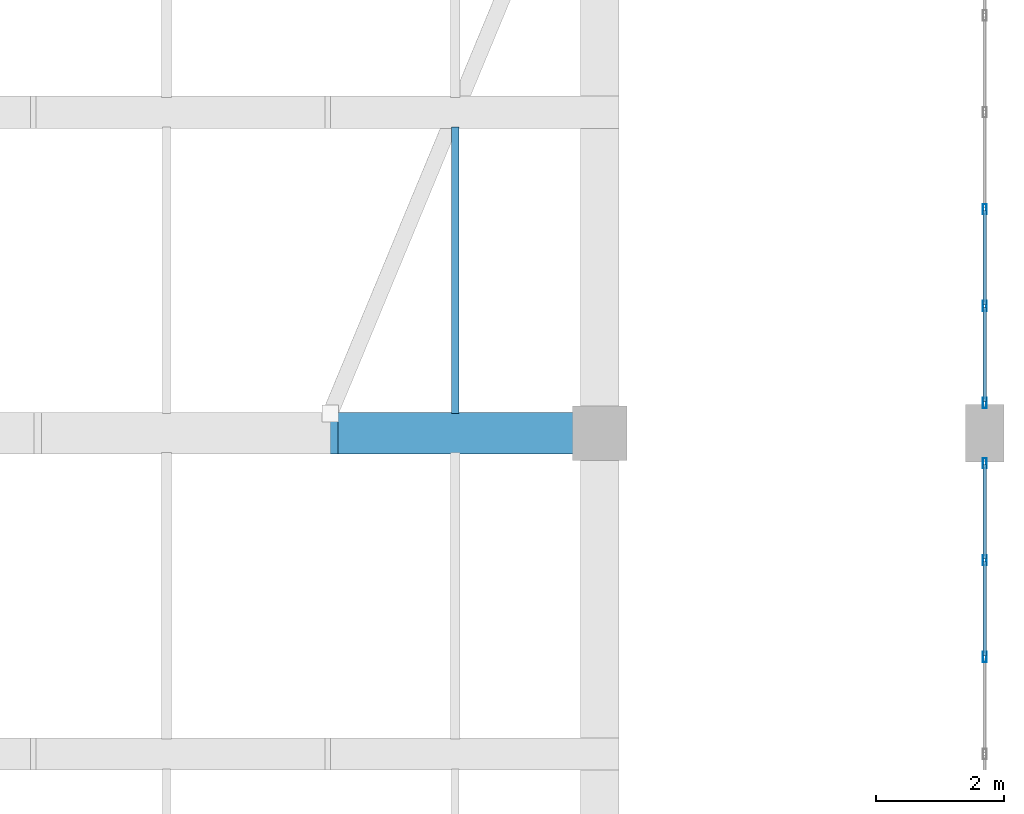
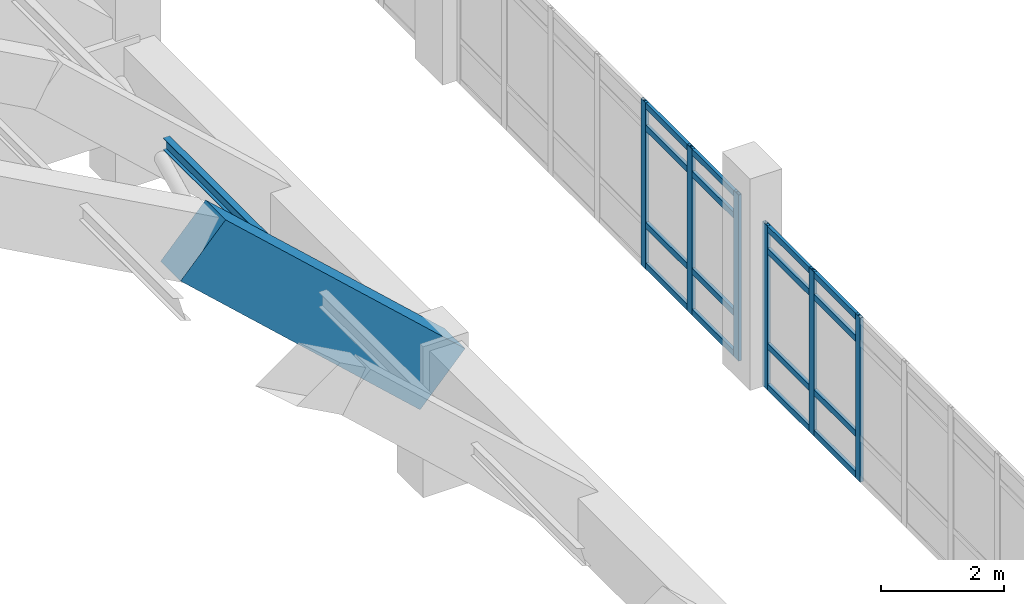
# One storey, part 82 of 111: 23 members, 1 beam, 2 elements without a shape of their own.
"""IFC4 building model written with IfcOpenShell, lengths in metres."""

import ifcopenshell
import ifcopenshell.guid

model = None  # the IFC model being written
_history = None  # IfcOwnerHistory: only IFC2X3 demands one
_inside = {}  # id of a spatial element -> (the spatial element, [elements in it])
_under = {}  # id of a project, library or spatial element -> (it, [spatial elements below it])
_declared = {}  # id of a project -> (the project, [libraries it declares])
_typed = {}  # id of a type object -> (the type object, [elements of that type])
_made_of = {}  # id of a material, layer set ... -> (it, [elements and type objects made of it])


def new_model(schema):
    """Start an empty IFC model of exactly this schema.

    Asked for "IFC4X3", IfcOpenShell would pick the latest addendum, in which some entities
    have other attributes; the version numbers below select the first issue.
    IFC2X3 requires an IfcOwnerHistory on every rooted entity: one is made here for all.
    """
    global model, _history
    if schema == "IFC4X3":
        model = ifcopenshell.file(schema_version=(4, 3, 0, 0))
    else:
        model = ifcopenshell.file(schema=schema)
    _inside.clear()
    _under.clear()
    _declared.clear()
    _typed.clear()
    _made_of.clear()
    _history = None
    if model.schema == "IFC2X3":
        org = make("IfcOrganization", Name="unknown")
        user = make(
            "IfcPersonAndOrganization",
            ThePerson=make("IfcPerson", FamilyName="unknown"),
            TheOrganization=org,
        )
        app = make(
            "IfcApplication",
            ApplicationDeveloper=org,
            Version="unknown",
            ApplicationFullName="unknown",
            ApplicationIdentifier="unknown",
        )
        _history = make(
            "IfcOwnerHistory",
            OwningUser=user,
            OwningApplication=app,
            ChangeAction="ADDED",
            CreationDate=0,
        )
    return model


def make(cls, **values):
    """One entity of the class cls with the attributes given. An attribute that is None is left unset."""
    return model.create_entity(
        cls, **{name: value for name, value in values.items() if value is not None}
    )


def rooted(cls, **values):
    """An entity with a GlobalId (a new one), such as an element, a storey or a relation."""
    return make(cls, GlobalId=ifcopenshell.guid.new(), OwnerHistory=_history, **values)


def si_unit(unit_type, name, prefix=None):
    """IfcSIUnit, for example si_unit("LENGTHUNIT", "METRE", prefix="MILLI")."""
    return make("IfcSIUnit", UnitType=unit_type, Prefix=prefix, Name=name)


def assignment(units):
    """IfcUnitAssignment: the units of a project."""
    return None if units is None else make("IfcUnitAssignment", Units=units)


def point(xyz):
    """IfcCartesianPoint."""
    return None if xyz is None else make("IfcCartesianPoint", Coordinates=xyz)


def direction(xyz):
    """IfcDirection."""
    return None if xyz is None else make("IfcDirection", DirectionRatios=xyz)


def frame(location, z_axis=None, x_axis=None):
    """IfcAxis2Placement3D, a coordinate frame: its origin and axes. An axis left out is left unset."""
    return make(
        "IfcAxis2Placement3D",
        Location=point(location),
        Axis=direction(z_axis),
        RefDirection=direction(x_axis),
    )


def frame_2d(location, x_axis=None):
    """IfcAxis2Placement2D, a coordinate frame in the plane: its origin and x axis."""
    return make(
        "IfcAxis2Placement2D", Location=point(location), RefDirection=direction(x_axis)
    )


def origin():
    """The frame at (0, 0, 0) with its axes left unset."""
    return frame((0.0, 0.0, 0.0))


def origin_2d():
    """The frame at (0, 0) in the plane with its x axis left unset."""
    return frame_2d((0.0, 0.0))


def place(relative_to, where):
    """IfcLocalPlacement: puts the frame where relative to a parent placement (None: the world)."""
    return make(
        "IfcLocalPlacement", PlacementRelTo=relative_to, RelativePlacement=where
    )


def context(
    kind, dimensions, precision=None, world=None, true_north=None, identifier=None
):
    """IfcGeometricRepresentationContext, for example the 3D "Model" context."""
    return make(
        "IfcGeometricRepresentationContext",
        ContextIdentifier=identifier,
        ContextType=kind,
        CoordinateSpaceDimension=dimensions,
        Precision=precision,
        WorldCoordinateSystem=world,
        TrueNorth=true_north,
    )


def subcontext(parent, identifier, kind, view, scale=None):
    """IfcGeometricRepresentationSubContext, for example "Body" below "Model"."""
    return make(
        "IfcGeometricRepresentationSubContext",
        ContextIdentifier=identifier,
        ContextType=kind,
        ParentContext=parent,
        TargetScale=scale,
        TargetView=view,
    )


def project(units=None, contexts=None):
    """IfcProject with its units and contexts."""
    return rooted(
        "IfcProject",
        Name="project",
        RepresentationContexts=contexts,
        UnitsInContext=assignment(units),
    )


def spatial(cls, under=None, at=None, **own):
    """A site, building, storey or space (cls), placed at a placement, below another one or the project."""
    s = rooted(cls, ObjectPlacement=at, **own)
    if under is not None:
        _under.setdefault(under.id(), (under, []))[1].append(s)
    return s


def profile(cls, at=None, kind="AREA", **sizes):
    """A parametric profile (cls). Its sizes go by their IFC names, for example OverallWidth=200.0."""
    return make(cls, ProfileType=kind, Position=at, **sizes)


def rectangle(**sizes):
    """IfcRectangleProfileDef."""
    return profile("IfcRectangleProfileDef", **sizes)


def hollow_rectangle(**sizes):
    """IfcRectangleHollowProfileDef."""
    return profile("IfcRectangleHollowProfileDef", **sizes)


def i_section(**sizes):
    """IfcIShapeProfileDef."""
    return profile("IfcIShapeProfileDef", **sizes)


def extrude(swept, where, along, depth):
    """IfcExtrudedAreaSolid: the profile swept, set in the frame where, extruded along a direction by depth."""
    return make(
        "IfcExtrudedAreaSolid",
        SweptArea=swept,
        Position=where,
        ExtrudedDirection=direction(along),
        Depth=depth,
    )


def shape(context_of_items, identifier, shape_type, items):
    """IfcShapeRepresentation: the items that make up one representation, for example the "Body"."""
    return make(
        "IfcShapeRepresentation",
        ContextOfItems=context_of_items,
        RepresentationIdentifier=identifier,
        RepresentationType=shape_type,
        Items=items,
    )


def material(Name=None, Category=None):
    """IfcMaterial."""
    return make("IfcMaterial", Name=Name, Category=Category)


def layer(
    of_material, thickness, ventilated=None, Name=None, Category=None, Priority=None
):
    """IfcMaterialLayer: one layer of a wall or slab, of a material (None: an air gap)."""
    return make(
        "IfcMaterialLayer",
        Material=of_material,
        LayerThickness=thickness,
        IsVentilated=ventilated,
        Name=Name,
        Category=Category,
        Priority=Priority,
    )


def layer_set(layers, Name=None):
    """IfcMaterialLayerSet."""
    return make("IfcMaterialLayerSet", MaterialLayers=layers, LayerSetName=Name)


def material_profile(
    of_material, cross_section, Name=None, Category=None, Priority=None
):
    """IfcMaterialProfile: a cross section and its material."""
    return make(
        "IfcMaterialProfile",
        Name=Name,
        Material=of_material,
        Profile=cross_section,
        Priority=Priority,
        Category=Category,
    )


def profile_set(profiles, Name=None, composite=None):
    """IfcMaterialProfileSet."""
    return make(
        "IfcMaterialProfileSet",
        Name=Name,
        MaterialProfiles=profiles,
        CompositeProfile=composite,
    )


def made_of(thing, what):
    """Note that an element or type object is made of a material, layer set ...; save() writes the relation."""
    if what is not None:
        _made_of.setdefault(what.id(), (what, []))[1].append(thing)
    return thing


def type_object(cls, material=None, **own):
    """A type object (cls), such as IfcWallType, which elements share."""
    return made_of(rooted(cls, **own), material)


def element(
    cls,
    number,
    at=None,
    inside=None,
    cuts=None,
    type_object=None,
    material=None,
    context=None,
    identifier="Body",
    shape_type=None,
    held_by="IfcProductDefinitionShape",
    body=None,
    shapes=None,
    **own,
):
    """One element of the class cls, such as IfcWall. Its Tag is "e" and its number.

    at: its placement. inside: the storey or other place that contains it. cuts: it is an
    opening in that element (IfcRelVoidsElement). A single representation is given by context,
    identifier, shape_type and body (its items); several are given by shapes. held_by: the class
    of the entity that holds the representations. save() writes the other relations.
    """
    e = rooted(cls, Tag="e%d" % number, ObjectPlacement=at, **own)
    if body is not None:
        shapes = [shape(context, identifier, shape_type, body)]
    if shapes is not None:
        e.Representation = make(held_by, Representations=shapes)
    if inside is not None:
        _inside.setdefault(inside.id(), (inside, []))[1].append(e)
    if cuts is not None:
        rooted(
            "IfcRelVoidsElement", RelatingBuildingElement=cuts, RelatedOpeningElement=e
        )
    if type_object is not None:
        _typed.setdefault(type_object.id(), (type_object, []))[1].append(e)
    return made_of(e, material)


def aggregate(whole, parts):
    """IfcRelAggregates: a whole, such as a stair, and the parts it consists of."""
    return rooted("IfcRelAggregates", RelatingObject=whole, RelatedObjects=parts)


def save(model, path):
    """Write the relations noted so far, then the file.

    IfcRelAggregates (storeys below a building ...), IfcRelContainedInSpatialStructure (elements
    in a storey), IfcRelDefinesByType, IfcRelAssociatesMaterial and IfcRelDeclares: one each for
    every whole, place, type object, material and project.
    """
    for whole, parts in _under.values():
        aggregate(whole, parts)
    for where, things in _inside.values():
        rooted(
            "IfcRelContainedInSpatialStructure",
            RelatedElements=things,
            RelatingStructure=where,
        )
    for kind, things in _typed.values():
        rooted("IfcRelDefinesByType", RelatedObjects=things, RelatingType=kind)
    for what, things in _made_of.values():
        rooted("IfcRelAssociatesMaterial", RelatedObjects=things, RelatingMaterial=what)
    for by, libraries in _declared.values():
        rooted("IfcRelDeclares", RelatingContext=by, RelatedDefinitions=libraries)
    model.write(path)


model = new_model("IFC4")

# Units and contexts
model_context = context("Model", 3, precision=1e-05, world=origin(), true_north=direction((0.0, 1.0)))
body_context = subcontext(model_context, "Body", "Model", "MODEL_VIEW")
ifc_project = project(units=[si_unit("LENGTHUNIT", "METRE"), si_unit("AREAUNIT", "SQUARE_METRE"), si_unit("VOLUMEUNIT", "CUBIC_METRE"), si_unit("PLANEANGLEUNIT", "RADIAN"), si_unit("MASSUNIT", "GRAM", prefix="KILO")], contexts=[model_context])

# Site, building, storey
site_placement = place(None, origin())
site = spatial("IfcSite", under=ifc_project, at=site_placement, CompositionType="ELEMENT")
building_placement = place(site_placement, origin())
building = spatial("IfcBuilding", under=site, at=building_placement, Name="Mersad Railyard Sports Hall", CompositionType="ELEMENT")
storey_placement = place(building_placement, frame((0.0, 0.0, 9.0)))
storey = spatial("IfcBuildingStorey", under=building, at=storey_placement, Name="L02", CompositionType="ELEMENT", Elevation=9.0)

# Curtain wall, members
ifc_material_1 = material(Name="Aluminium 6063-T6", Category="aluminium")
ifc_layer_1 = layer(ifc_material_1, 0.159912109375)
ifc_layer_set_1 = layer_set([ifc_layer_1], Name="Aluminium 6063-T6")
curtain_wall_type_1 = type_object("IfcCurtainWallType", Name="ARC-CW-CW16", PredefinedType="USERDEFINED", material=ifc_layer_set_1)
curtain_wall_1_placement = place(storey_placement, origin())
curtain_wall_1 = element("IfcCurtainWall", 1, at=curtain_wall_1_placement, inside=storey, type_object=curtain_wall_type_1, Name="Curtain wall CW16-0055", ObjectType="CURTAIN WALL", PredefinedType="USERDEFINED")
ifc_material_profile_1 = material_profile(ifc_material_1, hollow_rectangle(XDim=0.06005859375, YDim=0.159912109375, WallThickness=0.00390625, at=origin_2d()), Name="AL MULLION 60x160x4")
ifc_profile_set_1 = profile_set([ifc_material_profile_1], Name="Aluminium 6063-T6")
member_type_1 = type_object("IfcMemberType", Name="ARC-CW-MUL01", PredefinedType="MULLION", material=ifc_profile_set_1)
member_1_placement = place(storey_placement, frame((179.0, 63.030029296875, -0.02001953125), z_axis=(0.0, 0.0, 1.0), x_axis=(1.0, 0.0, 0.0)))
member_1 = element("IfcMember", 2, at=member_1_placement, type_object=member_type_1, Name="CW16 Mullion 1", PredefinedType="MULLION", context=body_context, shape_type="SweptSolid", body=[
    extrude(hollow_rectangle(XDim=0.06005859375, YDim=0.159912109375, WallThickness=0.00390625, at=origin_2d()), origin(), (0.0, 0.0, 1.0), 3.260009765625),
])
member_2_placement = place(storey_placement, frame((179.0, 61.52001953125, -0.02001953125), z_axis=(0.0, 0.0, 1.0), x_axis=(1.0, 0.0, 0.0)))
member_2 = element("IfcMember", 3, at=member_2_placement, type_object=member_type_1, Name="CW16 Mullion 2", PredefinedType="MULLION", context=body_context, shape_type="SweptSolid", body=[
    extrude(hollow_rectangle(XDim=0.06005859375, YDim=0.159912109375, WallThickness=0.00390625, at=origin_2d()), origin(), (0.0, 0.0, 1.0), 3.260009765625),
])
member_3_placement = place(storey_placement, frame((179.0, 60.010009765625, -0.02001953125), z_axis=(0.0, 0.0, 1.0), x_axis=(1.0, 0.0, 0.0)))
member_3 = element("IfcMember", 4, at=member_3_placement, type_object=member_type_1, Name="CW16 Mullion 3", PredefinedType="MULLION", context=body_context, shape_type="SweptSolid", body=[
    extrude(hollow_rectangle(XDim=0.06005859375, YDim=0.159912109375, WallThickness=0.00390625, at=origin_2d()), origin(), (0.0, 0.0, 1.0), 3.260009765625),
])

ifc_layer_2 = layer(ifc_material_1, 0.159912109375)
ifc_layer_set_2 = layer_set([ifc_layer_2], Name="Aluminium 6063-T6")
curtain_wall_type_2 = type_object("IfcCurtainWallType", Name="ARC-CW-CW17", PredefinedType="USERDEFINED", material=ifc_layer_set_2)
curtain_wall_2_placement = place(storey_placement, origin())
curtain_wall_2 = element("IfcCurtainWall", 5, at=curtain_wall_2_placement, inside=storey, type_object=curtain_wall_type_2, Name="Curtain wall CW17-0057", ObjectType="CURTAIN WALL", PredefinedType="USERDEFINED")
member_4_placement = place(storey_placement, frame((179.0, 66.989990234375, -0.02001953125), z_axis=(0.0, 0.0, 1.0), x_axis=(1.0, 0.0, 0.0)))
member_4 = element("IfcMember", 6, at=member_4_placement, type_object=member_type_1, Name="CW17 Mullion 5", PredefinedType="MULLION", context=body_context, shape_type="SweptSolid", body=[
    extrude(hollow_rectangle(XDim=0.06005859375, YDim=0.159912109375, WallThickness=0.00390625, at=origin_2d()), origin(), (0.0, 0.0, 1.0), 3.300048828125),
])
member_5_placement = place(storey_placement, frame((179.0, 65.47998046875, -0.02001953125), z_axis=(0.0, 0.0, 1.0), x_axis=(1.0, 0.0, 0.0)))
member_5 = element("IfcMember", 7, at=member_5_placement, type_object=member_type_1, Name="CW17 Mullion 6", PredefinedType="MULLION", context=body_context, shape_type="SweptSolid", body=[
    extrude(hollow_rectangle(XDim=0.06005859375, YDim=0.159912109375, WallThickness=0.00390625, at=origin_2d()), origin(), (0.0, 0.0, 1.0), 3.300048828125),
])
member_6_placement = place(storey_placement, frame((179.0, 63.969970703125, -0.02001953125), z_axis=(0.0, 0.0, 1.0), x_axis=(1.0, 0.0, 0.0)))
member_6 = element("IfcMember", 8, at=member_6_placement, type_object=member_type_1, Name="CW17 Mullion 7", PredefinedType="MULLION", context=body_context, shape_type="SweptSolid", body=[
    extrude(hollow_rectangle(XDim=0.06005859375, YDim=0.159912109375, WallThickness=0.00390625, at=origin_2d()), origin(), (0.0, 0.0, 1.0), 3.300048828125),
])

# Member
ifc_material_profile_2 = material_profile(ifc_material_1, hollow_rectangle(XDim=0.06005859375, YDim=0.1201171875, WallThickness=0.00390625, at=origin_2d()), Name="AL TRANSOM 60x120x4")
ifc_profile_set_2 = profile_set([ifc_material_profile_2], Name="Aluminium 6063-T6")
member_type_2 = type_object("IfcMemberType", Name="ARC-CW-TRN01", PredefinedType="USERDEFINED", material=ifc_profile_set_2)
member_7_placement = place(storey_placement, frame((179.0, 63.010009765625, 0.0400390625), z_axis=(0.0, -1.0, 0.0), x_axis=(1.0, 0.0, 0.0)))
member_7 = element("IfcMember", 9, at=member_7_placement, type_object=member_type_2, Name="CW16 Transom 1-1", ObjectType="TRANSOM", PredefinedType="USERDEFINED", context=body_context, shape_type="SweptSolid", body=[
    extrude(hollow_rectangle(XDim=0.06005859375, YDim=0.1201171875, WallThickness=0.00390625, at=origin_2d()), origin(), (0.0, 0.0, 1.0), 1.469970703125),
])

member_8_placement = place(storey_placement, frame((179.0, 61.5, 0.0400390625), z_axis=(0.0, -1.0, 0.0), x_axis=(1.0, 0.0, 0.0)))
member_8 = element("IfcMember", 10, at=member_8_placement, type_object=member_type_2, Name="CW16 Transom 1-2", ObjectType="TRANSOM", PredefinedType="USERDEFINED", context=body_context, shape_type="SweptSolid", body=[
    extrude(hollow_rectangle(XDim=0.06005859375, YDim=0.1201171875, WallThickness=0.00390625, at=origin_2d()), origin(), (0.0, 0.0, 1.0), 1.469970703125),
])

member_9_placement = place(storey_placement, frame((179.0, 63.010009765625, 0.85009765625), z_axis=(0.0, -1.0, 0.0), x_axis=(1.0, 0.0, 0.0)))
member_9 = element("IfcMember", 11, at=member_9_placement, type_object=member_type_2, Name="CW16 Transom 2-1", ObjectType="TRANSOM", PredefinedType="USERDEFINED", context=body_context, shape_type="SweptSolid", body=[
    extrude(hollow_rectangle(XDim=0.06005859375, YDim=0.1201171875, WallThickness=0.00390625, at=origin_2d()), origin(), (0.0, 0.0, 1.0), 1.469970703125),
])

member_10_placement = place(storey_placement, frame((179.0, 61.5, 0.85009765625), z_axis=(0.0, -1.0, 0.0), x_axis=(1.0, 0.0, 0.0)))
member_10 = element("IfcMember", 12, at=member_10_placement, type_object=member_type_2, Name="CW16 Transom 2-2", ObjectType="TRANSOM", PredefinedType="USERDEFINED", context=body_context, shape_type="SweptSolid", body=[
    extrude(hollow_rectangle(XDim=0.06005859375, YDim=0.1201171875, WallThickness=0.00390625, at=origin_2d()), origin(), (0.0, 0.0, 1.0), 1.469970703125),
])

member_11_placement = place(storey_placement, frame((179.0, 63.010009765625, 2.739990234375), z_axis=(0.0, -1.0, 0.0), x_axis=(1.0, 0.0, 0.0)))
member_11 = element("IfcMember", 13, at=member_11_placement, type_object=member_type_2, Name="CW16 Transom 3-1", ObjectType="TRANSOM", PredefinedType="USERDEFINED", context=body_context, shape_type="SweptSolid", body=[
    extrude(hollow_rectangle(XDim=0.06005859375, YDim=0.1201171875, WallThickness=0.00390625, at=origin_2d()), origin(), (0.0, 0.0, 1.0), 1.469970703125),
])

member_12_placement = place(storey_placement, frame((179.0, 61.5, 2.739990234375), z_axis=(0.0, -1.0, 0.0), x_axis=(1.0, 0.0, 0.0)))
member_12 = element("IfcMember", 14, at=member_12_placement, type_object=member_type_2, Name="CW16 Transom 3-2", ObjectType="TRANSOM", PredefinedType="USERDEFINED", context=body_context, shape_type="SweptSolid", body=[
    extrude(hollow_rectangle(XDim=0.06005859375, YDim=0.1201171875, WallThickness=0.00390625, at=origin_2d()), origin(), (0.0, 0.0, 1.0), 1.469970703125),
])

member_13_placement = place(storey_placement, frame((179.0, 63.010009765625, 3.179931640625), z_axis=(0.0, -1.0, 0.0), x_axis=(1.0, 0.0, 0.0)))
member_13 = element("IfcMember", 15, at=member_13_placement, type_object=member_type_2, Name="CW16 Transom 4-1", ObjectType="TRANSOM", PredefinedType="USERDEFINED", context=body_context, shape_type="SweptSolid", body=[
    extrude(hollow_rectangle(XDim=0.06005859375, YDim=0.1201171875, WallThickness=0.00390625, at=origin_2d()), origin(), (0.0, 0.0, 1.0), 1.469970703125),
])

member_14_placement = place(storey_placement, frame((179.0, 61.5, 3.179931640625), z_axis=(0.0, -1.0, 0.0), x_axis=(1.0, 0.0, 0.0)))
member_14 = element("IfcMember", 16, at=member_14_placement, type_object=member_type_2, Name="CW16 Transom 4-2", ObjectType="TRANSOM", PredefinedType="USERDEFINED", context=body_context, shape_type="SweptSolid", body=[
    extrude(hollow_rectangle(XDim=0.06005859375, YDim=0.1201171875, WallThickness=0.00390625, at=origin_2d()), origin(), (0.0, 0.0, 1.0), 1.469970703125),
])

aggregate(curtain_wall_1, [member_1, member_2, member_3, member_7, member_8, member_9, member_10, member_11, member_12, member_13, member_14])

member_15_placement = place(storey_placement, frame((179.0, 66.969970703125, 0.0400390625), z_axis=(0.0, -1.0, 0.0), x_axis=(1.0, 0.0, 0.0)))
member_15 = element("IfcMember", 17, at=member_15_placement, type_object=member_type_2, Name="CW17 Transom 1-5", ObjectType="TRANSOM", PredefinedType="USERDEFINED", context=body_context, shape_type="SweptSolid", body=[
    extrude(hollow_rectangle(XDim=0.06005859375, YDim=0.1201171875, WallThickness=0.00390625, at=origin_2d()), origin(), (0.0, 0.0, 1.0), 1.469970703125),
])

member_16_placement = place(storey_placement, frame((179.0, 65.4599609375, 0.0400390625), z_axis=(0.0, -1.0, 0.0), x_axis=(1.0, 0.0, 0.0)))
member_16 = element("IfcMember", 18, at=member_16_placement, type_object=member_type_2, Name="CW17 Transom 1-6", ObjectType="TRANSOM", PredefinedType="USERDEFINED", context=body_context, shape_type="SweptSolid", body=[
    extrude(hollow_rectangle(XDim=0.06005859375, YDim=0.1201171875, WallThickness=0.00390625, at=origin_2d()), origin(), (0.0, 0.0, 1.0), 1.469970703125),
])

member_17_placement = place(storey_placement, frame((179.0, 66.969970703125, 0.85009765625), z_axis=(0.0, -1.0, 0.0), x_axis=(1.0, 0.0, 0.0)))
member_17 = element("IfcMember", 19, at=member_17_placement, type_object=member_type_2, Name="CW17 Transom 2-5", ObjectType="TRANSOM", PredefinedType="USERDEFINED", context=body_context, shape_type="SweptSolid", body=[
    extrude(hollow_rectangle(XDim=0.06005859375, YDim=0.1201171875, WallThickness=0.00390625, at=origin_2d()), origin(), (0.0, 0.0, 1.0), 1.469970703125),
])

member_18_placement = place(storey_placement, frame((179.0, 65.4599609375, 0.85009765625), z_axis=(0.0, -1.0, 0.0), x_axis=(1.0, 0.0, 0.0)))
member_18 = element("IfcMember", 20, at=member_18_placement, type_object=member_type_2, Name="CW17 Transom 2-6", ObjectType="TRANSOM", PredefinedType="USERDEFINED", context=body_context, shape_type="SweptSolid", body=[
    extrude(hollow_rectangle(XDim=0.06005859375, YDim=0.1201171875, WallThickness=0.00390625, at=origin_2d()), origin(), (0.0, 0.0, 1.0), 1.469970703125),
])

member_19_placement = place(storey_placement, frame((179.0, 66.969970703125, 2.780029296875), z_axis=(0.0, -1.0, 0.0), x_axis=(1.0, 0.0, 0.0)))
member_19 = element("IfcMember", 21, at=member_19_placement, type_object=member_type_2, Name="CW17 Transom 3-5", ObjectType="TRANSOM", PredefinedType="USERDEFINED", context=body_context, shape_type="SweptSolid", body=[
    extrude(hollow_rectangle(XDim=0.06005859375, YDim=0.1201171875, WallThickness=0.00390625, at=origin_2d()), origin(), (0.0, 0.0, 1.0), 1.469970703125),
])

member_20_placement = place(storey_placement, frame((179.0, 65.4599609375, 2.780029296875), z_axis=(0.0, -1.0, 0.0), x_axis=(1.0, 0.0, 0.0)))
member_20 = element("IfcMember", 22, at=member_20_placement, type_object=member_type_2, Name="CW17 Transom 3-6", ObjectType="TRANSOM", PredefinedType="USERDEFINED", context=body_context, shape_type="SweptSolid", body=[
    extrude(hollow_rectangle(XDim=0.06005859375, YDim=0.1201171875, WallThickness=0.00390625, at=origin_2d()), origin(), (0.0, 0.0, 1.0), 1.469970703125),
])

member_21_placement = place(storey_placement, frame((179.0, 66.969970703125, 3.219970703125), z_axis=(0.0, -1.0, 0.0), x_axis=(1.0, 0.0, 0.0)))
member_21 = element("IfcMember", 23, at=member_21_placement, type_object=member_type_2, Name="CW17 Transom 4-5", ObjectType="TRANSOM", PredefinedType="USERDEFINED", context=body_context, shape_type="SweptSolid", body=[
    extrude(hollow_rectangle(XDim=0.06005859375, YDim=0.1201171875, WallThickness=0.00390625, at=origin_2d()), origin(), (0.0, 0.0, 1.0), 1.469970703125),
])

member_22_placement = place(storey_placement, frame((179.0, 65.4599609375, 3.219970703125), z_axis=(0.0, -1.0, 0.0), x_axis=(1.0, 0.0, 0.0)))
member_22 = element("IfcMember", 24, at=member_22_placement, type_object=member_type_2, Name="CW17 Transom 4-6", ObjectType="TRANSOM", PredefinedType="USERDEFINED", context=body_context, shape_type="SweptSolid", body=[
    extrude(hollow_rectangle(XDim=0.06005859375, YDim=0.1201171875, WallThickness=0.00390625, at=origin_2d()), origin(), (0.0, 0.0, 1.0), 1.469970703125),
])

aggregate(curtain_wall_2, [member_4, member_5, member_6, member_15, member_16, member_17, member_18, member_19, member_20, member_21, member_22])

# Beam
ifc_material_2 = material(Name="Architectural concrete C50/60", Category="concrete")
ifc_material_profile_3 = material_profile(ifc_material_2, rectangle(XDim=0.64990234375, YDim=1.25, at=origin_2d()), Name="VR 650x1250")
ifc_profile_set_3 = profile_set([ifc_material_profile_3], Name="Architectural concrete C50/60")
beam_type = type_object("IfcBeamType", Name="STR-BM-VR01", PredefinedType="BEAM", material=ifc_profile_set_3)
beam_placement = place(storey_placement, frame((168.5, 63.5, 6.2822265625), z_axis=(0.736556702909, 0.0, -0.676375800425), x_axis=(0.0, 1.0, 0.0)))
element("IfcBeam", 25, at=beam_placement, inside=storey, type_object=beam_type, Name="Beam VR01-0824", PredefinedType="BEAM", context=body_context, shape_type="SweptSolid", body=[
    extrude(rectangle(XDim=0.64990234375, YDim=1.25, at=origin_2d()), origin(), (0.0, 0.0, 1.0), 6.109619140625),
])

# Member
ifc_material_3 = material(Name="Steel S355", Category="steel")
ifc_material_profile_4 = material_profile(ifc_material_3, i_section(OverallWidth=0.1201171875, OverallDepth=0.239990234375, WebThickness=0.006103515625, FlangeThickness=0.009765625, at=origin_2d()), Name="IPE 240")
ifc_profile_set_4 = profile_set([ifc_material_profile_4], Name="Steel S355")
member_type_3 = type_object("IfcMemberType", Name="STR-MEM-PU01", PredefinedType="PURLIN", material=ifc_profile_set_4)
member_23_placement = place(storey_placement, frame((170.75, 63.804931640625, 4.546142578125), z_axis=(0.0, 1.0, 0.0), x_axis=(-1.0, 0.0, 0.0)))
element("IfcMember", 26, at=member_23_placement, inside=storey, type_object=member_type_3, Name="Structural member PU01-0208", PredefinedType="PURLIN", context=body_context, shape_type="SweptSolid", body=[
    extrude(i_section(OverallWidth=0.1201171875, OverallDepth=0.239990234375, WebThickness=0.006103515625, FlangeThickness=0.009765625, at=origin_2d()), origin(), (0.0, 0.0, 1.0), 4.465087890625),
])

save(model, "model.ifc")
